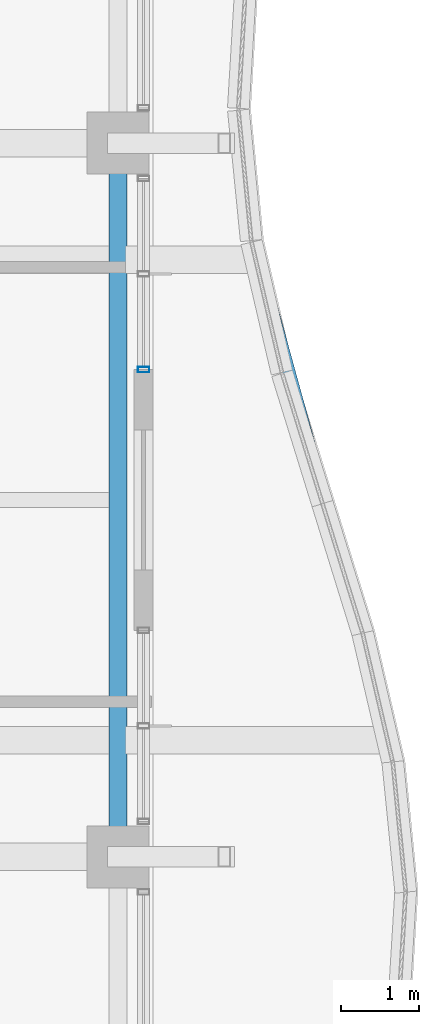
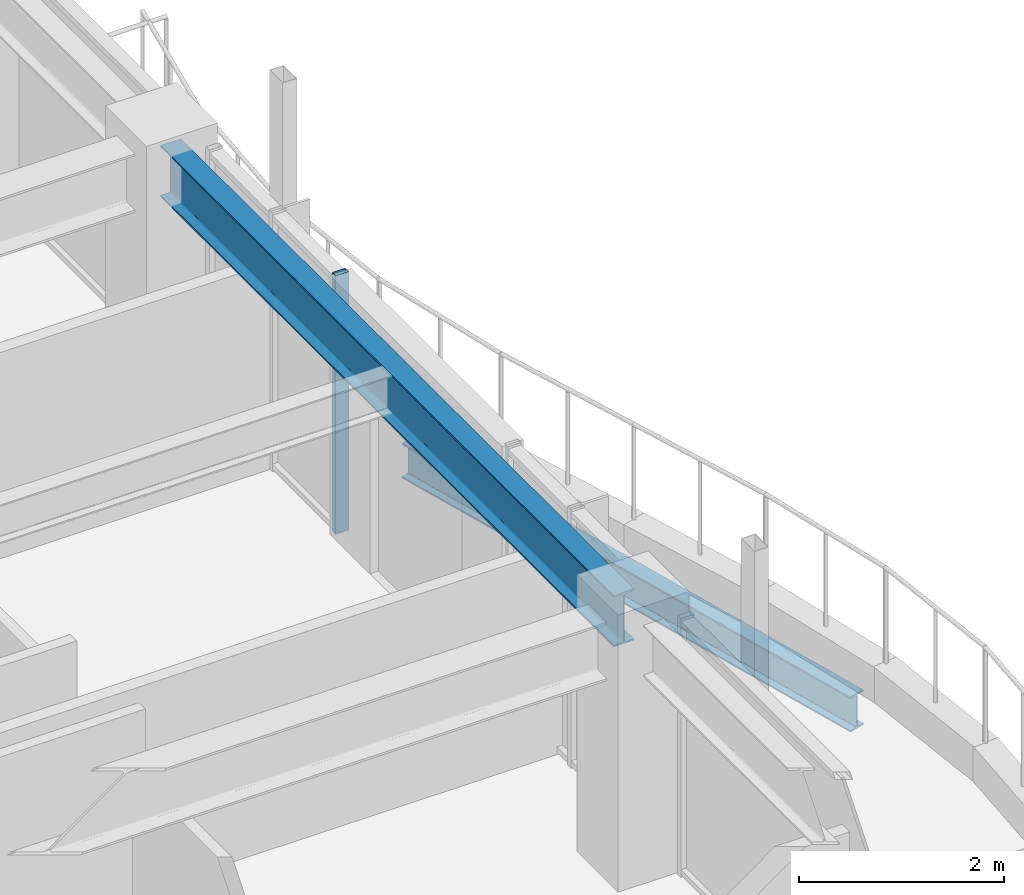
# One storey, part 14 of 35: 2 beams, 1 member, 1 element without a shape of its own.
"""IFC4 building model written with IfcOpenShell, lengths in metres."""

from ifc_helpers import new_model, si_unit, direction, frame, origin, origin_2d, place, context, subcontext, project, spatial, hollow_rectangle, i_section, extrude, material, material_profile, profile_set, type_object, element, aggregate, save


model = new_model("IFC4")

# Units and contexts
model_context = context("Model", 3, precision=1e-05, world=origin(), true_north=direction((0.0, 1.0)))
body_context = subcontext(model_context, "Body", "Model", "MODEL_VIEW")
ifc_project = project(units=[si_unit("LENGTHUNIT", "METRE"), si_unit("AREAUNIT", "SQUARE_METRE"), si_unit("VOLUMEUNIT", "CUBIC_METRE"), si_unit("PLANEANGLEUNIT", "RADIAN"), si_unit("MASSUNIT", "GRAM", prefix="KILO")], contexts=[model_context])

# Site, building, storey
site_placement = place(None, origin())
site = spatial("IfcSite", under=ifc_project, at=site_placement, CompositionType="ELEMENT")
building_placement = place(site_placement, origin())
building = spatial("IfcBuilding", under=site, at=building_placement, Name="Kolvaren Belvedere", CompositionType="ELEMENT")
storey_placement = place(building_placement, frame((0.0, 0.0, 216.300048828125)))
storey = spatial("IfcBuildingStorey", under=building, at=storey_placement, Name="L63", CompositionType="ELEMENT", Elevation=216.300048828125)

# Beams
ifc_material_1 = material(Name="Structural steel ASTM A992 Grade 50", Category="steel")
ifc_material_profile_1 = material_profile(ifc_material_1, i_section(OverallWidth=0.180908203125, OverallDepth=0.4169921875, WebThickness=0.010986328125, FlangeThickness=0.018310546875, FilletRadius=0.013916015625, at=origin_2d()), Name="W16X57")
ifc_profile_set_1 = profile_set([ifc_material_profile_1], Name="Structural steel ASTM A992 Grade 50")
beam_type_1 = type_object("IfcBeamType", Name="BM-EDGE-W16X57", PredefinedType="BEAM", material=ifc_profile_set_1)
beam_1_placement = place(storey_placement, frame((23.414306640625, -2.965087890625, -0.428466796875), z_axis=(-0.26479660726, 0.964304286407, 0.0), x_axis=(-0.964304286407, -0.26479660726, 0.0)))
element("IfcBeam", 1, at=beam_1_placement, inside=storey, type_object=beam_type_1, Name="L63 Balcony Tip Header Beam BAL-E", PredefinedType="BEAM", context=body_context, shape_type="SweptSolid", body=[
    extrude(i_section(OverallWidth=0.180908203125, OverallDepth=0.4169921875, WebThickness=0.010986328125, FlangeThickness=0.018310546875, FilletRadius=0.013916015625, at=origin_2d()), origin(), (0.0, 0.0, 1.0), 6.149658203125),
])
ifc_material_2 = material(Name="Structural steel ASTM A992 Grade 50", Category="steel")
ifc_material_profile_2 = material_profile(ifc_material_2, i_section(OverallWidth=0.22900390625, OverallDepth=0.612060546875, WebThickness=0.011962890625, FlangeThickness=0.01953125, FilletRadius=0.01806640625, at=origin_2d()), Name="W24X84")
ifc_profile_set_2 = profile_set([ifc_material_profile_2], Name="Structural steel ASTM A992 Grade 50")
beam_type_2 = type_object("IfcBeamType", Name="BM-SPAN-W24X84", PredefinedType="SPANDREL", material=ifc_profile_set_2)
beam_2_placement = place(storey_placement, frame((19.949951171875, -4.419921875, 2.77392578125), z_axis=(0.0, 1.0, 0.0), x_axis=(-1.0, 0.0, 0.0)))
element("IfcBeam", 2, at=beam_2_placement, inside=storey, type_object=beam_type_2, Name="L63 Perimeter Spandrel E2-E3", PredefinedType="SPANDREL", context=body_context, shape_type="SweptSolid", body=[
    extrude(i_section(OverallWidth=0.22900390625, OverallDepth=0.612060546875, WebThickness=0.011962890625, FlangeThickness=0.01953125, FilletRadius=0.01806640625, at=origin_2d()), origin(), (0.0, 0.0, 1.0), 8.83984375),
])

# Curtain wall, member
ifc_material_3 = material(Name="Anodised pale-metal aluminium AA 6063-T6", Category="aluminium")
curtain_wall_type = type_object("IfcCurtainWallType", Name="CW-Z5-HIGH", PredefinedType="NOTDEFINED", material=ifc_material_3)
curtain_wall_placement = place(storey_placement, origin())
curtain_wall = element("IfcCurtainWall", 3, at=curtain_wall_placement, inside=storey, type_object=curtain_wall_type, Name="L63 Unitised Curtain Wall FCW-L63-E1-B2", PredefinedType="NOTDEFINED")
ifc_material_4 = material(Name="Anodised pale-metal aluminium AA 6063-T6", Category="aluminium")
ifc_material_profile_3 = material_profile(ifc_material_4, hollow_rectangle(XDim=0.070068359375, YDim=0.14990234375, WallThickness=0.004150390625, at=origin_2d()), Name="ALU-MUL-150X70")
ifc_profile_set_3 = profile_set([ifc_material_profile_3], Name="Anodised pale-metal aluminium AA 6063-T6")
member_type = type_object("IfcMemberType", Name="CW-MUL-150", PredefinedType="MULLION", material=ifc_profile_set_3)
member_placement = place(storey_placement, frame((20.280029296875, 1.679931640625, 0.0), z_axis=(0.0, 0.0, 1.0), x_axis=(0.0, 1.0, 0.0)))
member = element("IfcMember", 4, at=member_placement, type_object=member_type, Name="FCW-L63-E1-B2 Unitised Mullion 3", PredefinedType="MULLION", context=body_context, shape_type="SweptSolid", body=[
    extrude(hollow_rectangle(XDim=0.070068359375, YDim=0.14990234375, WallThickness=0.004150390625, at=origin_2d()), origin(), (0.0, 0.0, 1.0), 3.079833984375),
])
aggregate(curtain_wall, [member])

save(model, "model.ifc")
